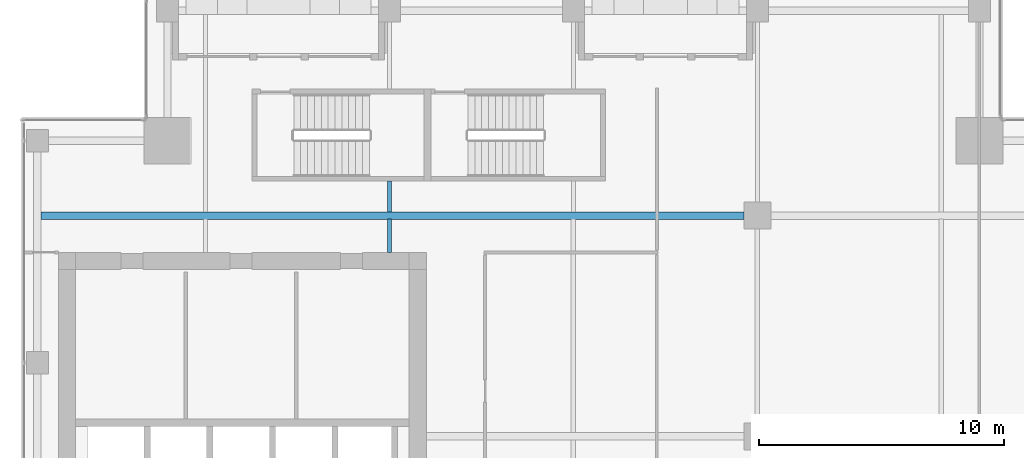
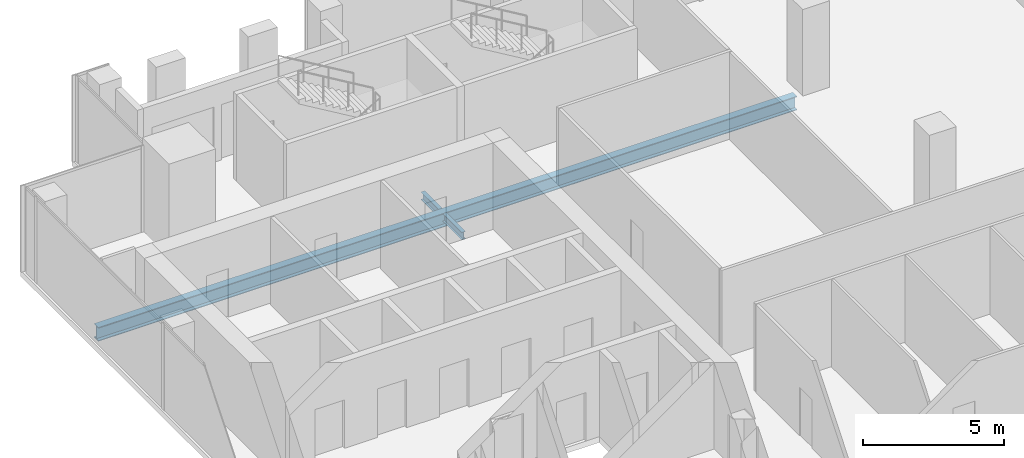
# One storey, part 16 of 36: 3 beams.
"""IFC4 building model written with IfcOpenShell, lengths in metres."""

from ifc_helpers import new_model, si_unit, direction, frame, origin, origin_2d, place, context, subcontext, project, spatial, i_section, extrude, source, transform, mapped, material, material_profile, profile_set, type_object, element, save


model = new_model("IFC4")

# Units and contexts
model_context = context("Model", 3, precision=1e-05, world=origin(), true_north=direction((0.0, 1.0)))
body_context = subcontext(model_context, "Body", "Model", "MODEL_VIEW")
ifc_project = project(units=[si_unit("LENGTHUNIT", "METRE"), si_unit("AREAUNIT", "SQUARE_METRE"), si_unit("VOLUMEUNIT", "CUBIC_METRE"), si_unit("PLANEANGLEUNIT", "RADIAN"), si_unit("MASSUNIT", "GRAM", prefix="KILO")], contexts=[model_context])

# Site, building, storey
site_placement = place(None, origin())
site = spatial("IfcSite", under=ifc_project, at=site_placement, CompositionType="ELEMENT")
building_placement = place(site_placement, origin())
building = spatial("IfcBuilding", under=site, at=building_placement, Name="Khomas Fold Tower", CompositionType="ELEMENT")
storey_placement = place(building_placement, frame((0.0, 0.0, 238.199951171875)))
storey = spatial("IfcBuildingStorey", under=building, at=storey_placement, Name="L53", CompositionType="ELEMENT", Elevation=238.199951171875)

# Beams
ifc_material_1 = material(Name="Steel S355", Category="steel")
ifc_material_profile_1 = material_profile(ifc_material_1, i_section(OverallWidth=0.159912109375, OverallDepth=0.330078125, WebThickness=0.007568359375, FlangeThickness=0.011474609375, at=origin_2d()), Name="IPE 330")
ifc_profile_set_1 = profile_set([ifc_material_profile_1], Name="Steel S355")
beam_type_1 = type_object("IfcBeamType", Name="IPE 330 beam JB1", PredefinedType="BEAM", material=ifc_profile_set_1)
shared_shape_1 = source(origin(), body_context, "Body", "SweptSolid", [
    extrude(i_section(OverallWidth=0.159912109375, OverallDepth=0.330078125, WebThickness=0.007568359375, FlangeThickness=0.011474609375, at=origin_2d()), origin(), (0.0, 0.0, 1.0), 1.25),
])
beam_1_placement = place(storey_placement, frame((19.5, 40.64990234375, -0.4150390625), z_axis=(0.0, 1.0, 0.0), x_axis=(-1.0, 0.0, 0.0)))
element("IfcBeam", 1, at=beam_1_placement, inside=storey, type_object=beam_type_1, Name="JB1", PredefinedType="BEAM", context=body_context, shape_type="MappedRepresentation", body=[
    mapped(shared_shape_1, transform((0.0, 0.0, 0.0))),
])
shared_shape_2 = source(origin(), body_context, "Body", "SweptSolid", [
    extrude(i_section(OverallWidth=0.159912109375, OverallDepth=0.330078125, WebThickness=0.007568359375, FlangeThickness=0.011474609375, at=origin_2d()), origin(), (0.0, 0.0, 1.0), 1.35009765625),
])
beam_2_placement = place(storey_placement, frame((19.5, 39.0, -0.4150390625), z_axis=(0.0, 1.0, 0.0), x_axis=(-1.0, 0.0, 0.0)))
element("IfcBeam", 2, at=beam_2_placement, inside=storey, type_object=beam_type_1, Name="JB1", PredefinedType="BEAM", context=body_context, shape_type="MappedRepresentation", body=[
    mapped(shared_shape_2, transform((0.0, 0.0, 0.0))),
])
ifc_material_2 = material(Name="Steel S355", Category="steel")
ifc_material_profile_2 = material_profile(ifc_material_2, i_section(OverallWidth=0.300048828125, OverallDepth=0.60009765625, WebThickness=0.015380859375, FlangeThickness=0.030029296875, at=origin_2d()), Name="HE 600 B")
ifc_profile_set_2 = profile_set([ifc_material_profile_2], Name="Steel S355")
beam_type_2 = type_object("IfcBeamType", Name="HE 600 B beam GB5", PredefinedType="BEAM", material=ifc_profile_set_2)
shared_shape_3 = source(origin(), body_context, "Body", "SweptSolid", [
    extrude(i_section(OverallWidth=0.300048828125, OverallDepth=0.60009765625, WebThickness=0.015380859375, FlangeThickness=0.030029296875, at=origin_2d()), origin(), (0.0, 0.0, 1.0), 28.64990234375),
])
beam_3_placement = place(storey_placement, frame((5.300048828125, 40.5, -0.550048828125), z_axis=(1.0, 0.0, 0.0), x_axis=(0.0, 1.0, 0.0)))
element("IfcBeam", 3, at=beam_3_placement, inside=storey, type_object=beam_type_2, Name="GB5", PredefinedType="BEAM", context=body_context, shape_type="MappedRepresentation", body=[
    mapped(shared_shape_3, transform((0.0, 0.0, 0.0))),
])

save(model, "model.ifc")
